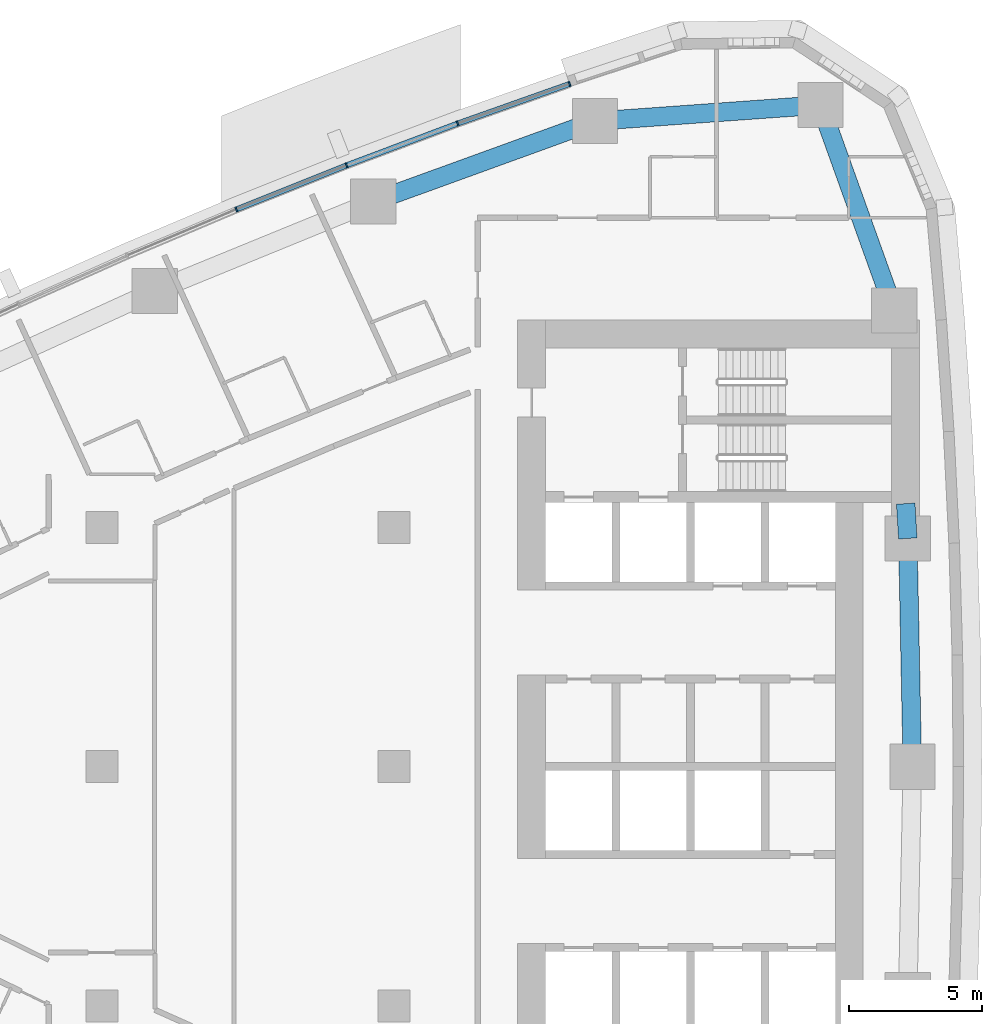
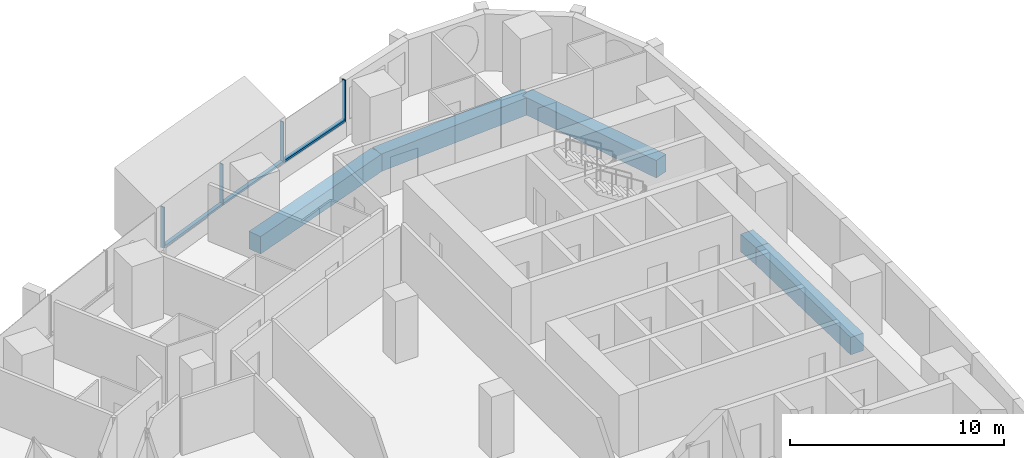
# One storey, part 6 of 17: 7 members, 5 beams, 2 elements without a shape of their own.
"""IFC4 building model written with IfcOpenShell, lengths in metres."""

from ifc_helpers import new_model, si_unit, direction, frame, origin, origin_2d, place, context, subcontext, project, spatial, rectangle, extrude, material, layer, layer_set, material_profile, profile_set, type_object, element, aggregate, save


model = new_model("IFC4")

# Units and contexts
model_context = context("Model", 3, precision=1e-05, world=origin(), true_north=direction((0.0, 1.0)))
body_context = subcontext(model_context, "Body", "Model", "MODEL_VIEW")
ifc_project = project(units=[si_unit("LENGTHUNIT", "METRE"), si_unit("AREAUNIT", "SQUARE_METRE"), si_unit("VOLUMEUNIT", "CUBIC_METRE"), si_unit("PLANEANGLEUNIT", "RADIAN"), si_unit("MASSUNIT", "GRAM", prefix="KILO")], contexts=[model_context])

# Site, building, storey
site_placement = place(None, origin())
site = spatial("IfcSite", under=ifc_project, at=site_placement, CompositionType="ELEMENT")
building_placement = place(site_placement, origin())
building = spatial("IfcBuilding", under=site, at=building_placement, Name="Ostrand Prow Hotel Tower", CompositionType="ELEMENT")
storey_placement = place(building_placement, frame((0.0, 0.0, 102.64990234375)))
storey = spatial("IfcBuildingStorey", under=building, at=storey_placement, Name="L24", CompositionType="ELEMENT", Elevation=102.64990234375)

# Beams
ifc_material_1 = material(Name="Concrete C80/95", Category="concrete")
ifc_material_profile_1 = material_profile(ifc_material_1, rectangle(XDim=0.699951171875, YDim=1.0, at=origin_2d()), Name="RC 700x1000")
ifc_profile_set_1 = profile_set([ifc_material_profile_1], Name="Concrete C80/95")
beam_type = type_object("IfcBeamType", Name="Edge beam 700x1000 C80/95", PredefinedType="SPANDREL", material=ifc_profile_set_1)
beam_1_placement = place(storey_placement, frame((64.5, 0.0, -0.7998046875), z_axis=(-0.019922705812, 0.9998015232, 0.0), x_axis=(-0.9998015232, -0.019922705812, 0.0)))
element("IfcBeam", 1, at=beam_1_placement, inside=storey, type_object=beam_type, Name="Edge beam B3-B4", PredefinedType="SPANDREL", context=body_context, shape_type="SweptSolid", body=[
    extrude(rectangle(XDim=0.699951171875, YDim=1.0, at=origin_2d()), origin(), (0.0, 0.0, 1.0), 8.59033203125),
])
beam_2_placement = place(storey_placement, frame((64.328857421875, 8.588623046875, -0.7998046875), z_axis=(-0.059658953766, 0.998218818314, 0.0), x_axis=(-0.998218818314, -0.059658953766, 0.0)))
element("IfcBeam", 2, at=beam_2_placement, inside=storey, type_object=beam_type, Name="Edge beam B4-B5", PredefinedType="SPANDREL", context=body_context, shape_type="SweptSolid", body=[
    extrude(rectangle(XDim=0.699951171875, YDim=1.0, at=origin_2d()), origin(), (0.0, 0.0, 1.0), 1.313720703125),
])
beam_3_placement = place(storey_placement, frame((63.815673828125, 17.16357421875, -0.7998046875), z_axis=(-0.337815484063, 0.941212355809, 0.0), x_axis=(-0.941212355809, -0.337815484063, 0.0)))
element("IfcBeam", 3, at=beam_3_placement, inside=storey, type_object=beam_type, Name="Edge beam B5-NE", PredefinedType="SPANDREL", context=body_context, shape_type="SweptSolid", body=[
    extrude(rectangle(XDim=0.699951171875, YDim=1.0, at=origin_2d()), origin(), (0.0, 0.0, 1.0), 8.21630859375),
])
beam_4_placement = place(storey_placement, frame((61.0400390625, 24.89697265625, -0.7998046875), z_axis=(-0.99747195063, -0.071061295414, 0.0), x_axis=(0.071061295414, -0.99747195063, 0.0)))
element("IfcBeam", 4, at=beam_4_placement, inside=storey, type_object=beam_type, Name="Edge beam NE-N1", PredefinedType="SPANDREL", context=body_context, shape_type="SweptSolid", body=[
    extrude(rectangle(XDim=0.699951171875, YDim=1.0, at=origin_2d()), origin(), (0.0, 0.0, 1.0), 8.499755859375),
])
beam_5_placement = place(storey_placement, frame((52.561767578125, 24.29296875, -0.7998046875), z_axis=(-0.940062739321, -0.341001533927, 0.0), x_axis=(0.341001533927, -0.940062739321, 0.0)))
element("IfcBeam", 5, at=beam_5_placement, inside=storey, type_object=beam_type, Name="Edge beam N1-N2", PredefinedType="SPANDREL", context=body_context, shape_type="SweptSolid", body=[
    extrude(rectangle(XDim=0.699951171875, YDim=1.0, at=origin_2d()), origin(), (0.0, 0.0, 1.0), 8.883544921875),
])

# Curtain wall, members
ifc_material_2 = material(Name="Insulated glass in bronze anodised frame", Category="glass")
ifc_layer = layer(ifc_material_2, 0.199951171875)
ifc_layer_set = layer_set([ifc_layer], Name="Insulated glass in bronze anodised frame")
curtain_wall_type = type_object("IfcCurtainWallType", Name="Strip curtain wall, fritted glass over bronze spandrel", PredefinedType="NOTDEFINED", material=ifc_layer_set)
curtain_wall_1_placement = place(storey_placement, origin())
curtain_wall_1 = element("IfcCurtainWall", 6, at=curtain_wall_1_placement, inside=storey, type_object=curtain_wall_type, Name="CW1 run CWN1", PredefinedType="NOTDEFINED")
ifc_material_3 = material(Name="Bronze anodised aluminium", Category="aluminium")
ifc_material_profile_2 = material_profile(ifc_material_3, rectangle(XDim=0.199951171875, YDim=0.06005859375, at=origin_2d()), Name="Mullion 60x200 bronze anodised aluminium")
ifc_profile_set_2 = profile_set([ifc_material_profile_2], Name="Bronze anodised aluminium")
member_type_1 = type_object("IfcMemberType", Name="Mullion 60x200 bronze anodised aluminium", PredefinedType="MULLION", material=ifc_profile_set_2)
member_1_placement = place(storey_placement, frame((51.601318359375, 25.692138671875, 0.900146484375), z_axis=(0.0, 0.0, 1.0), x_axis=(0.333495894542, -0.942751551748, 0.0)))
member_1 = element("IfcMember", 7, at=member_1_placement, type_object=member_type_1, Name="CW1 mullion 1", PredefinedType="MULLION", context=body_context, shape_type="SweptSolid", body=[
    extrude(rectangle(XDim=0.199951171875, YDim=0.06005859375, at=origin_2d()), origin(), (0.0, 0.0, 1.0), 2.349853515625),
])
member_2_placement = place(storey_placement, frame((47.390869140625, 24.202880859375, 0.900146484375), z_axis=(0.0, 0.0, 1.0), x_axis=(0.35230885193, -0.935883792387, 0.0)))
member_2 = element("IfcMember", 8, at=member_2_placement, type_object=member_type_1, Name="CW1 mullion 2", PredefinedType="MULLION", context=body_context, shape_type="SweptSolid", body=[
    extrude(rectangle(XDim=0.199951171875, YDim=0.06005859375, at=origin_2d()), origin(), (0.0, 0.0, 1.0), 2.349853515625),
])
member_3_placement = place(storey_placement, frame((43.211181640625, 22.62939453125, 0.900146484375), z_axis=(0.0, 0.0, 1.0), x_axis=(0.35230885193, -0.935883792387, 0.0)))
member_3 = element("IfcMember", 9, at=member_3_placement, type_object=member_type_1, Name="CW1 mullion 3", PredefinedType="MULLION", context=body_context, shape_type="SweptSolid", body=[
    extrude(rectangle(XDim=0.199951171875, YDim=0.06005859375, at=origin_2d()), origin(), (0.0, 0.0, 1.0), 2.349853515625),
])

# Curtain wall, member
curtain_wall_2_placement = place(storey_placement, origin())
curtain_wall_2 = element("IfcCurtainWall", 10, at=curtain_wall_2_placement, inside=storey, type_object=curtain_wall_type, Name="CW1 run CWN2", PredefinedType="NOTDEFINED")
member_4_placement = place(storey_placement, frame((39.06396484375, 20.97265625, 0.900146484375), z_axis=(0.0, 0.0, 1.0), x_axis=(0.389506566255, -0.921023688536, 0.0)))
member_4 = element("IfcMember", 11, at=member_4_placement, type_object=member_type_1, Name="CW1 mullion 2", PredefinedType="MULLION", context=body_context, shape_type="SweptSolid", body=[
    extrude(rectangle(XDim=0.199951171875, YDim=0.06005859375, at=origin_2d()), origin(), (0.0, 0.0, 1.0), 2.349853515625),
])

# Member
ifc_material_4 = material(Name="Bronze anodised aluminium", Category="aluminium")
ifc_material_profile_3 = material_profile(ifc_material_4, rectangle(XDim=0.199951171875, YDim=0.1201171875, at=origin_2d()), Name="Transom 120x200 bronze anodised aluminium")
ifc_profile_set_3 = profile_set([ifc_material_profile_3], Name="Bronze anodised aluminium")
member_type_2 = type_object("IfcMemberType", Name="Transom 120x200 bronze anodised aluminium", PredefinedType="USERDEFINED", material=ifc_profile_set_3)
member_5_placement = place(storey_placement, frame((51.572998046875, 25.68212890625, 0.960205078125), z_axis=(-0.942763014139, -0.333463490013, 0.0), x_axis=(0.333463490013, -0.942763014139, 0.0)))
member_5 = element("IfcMember", 12, at=member_5_placement, type_object=member_type_2, Name="CW1 transom 1.1", ObjectType="TRANSOM", PredefinedType="USERDEFINED", context=body_context, shape_type="SweptSolid", body=[
    extrude(rectangle(XDim=0.199951171875, YDim=0.1201171875, at=origin_2d()), origin(), (0.0, 0.0, 1.0), 4.406005859375),
])

member_6_placement = place(storey_placement, frame((47.36279296875, 24.1923828125, 0.960205078125), z_axis=(-0.935868398429, -0.352349742191, 0.0), x_axis=(0.352349742191, -0.935868398429, 0.0)))
member_6 = element("IfcMember", 13, at=member_6_placement, type_object=member_type_2, Name="CW1 transom 2.1", ObjectType="TRANSOM", PredefinedType="USERDEFINED", context=body_context, shape_type="SweptSolid", body=[
    extrude(rectangle(XDim=0.199951171875, YDim=0.1201171875, at=origin_2d()), origin(), (0.0, 0.0, 1.0), 4.406005859375),
])

aggregate(curtain_wall_1, [member_1, member_2, member_3, member_5, member_6])

member_7_placement = place(storey_placement, frame((43.183349609375, 22.618408203125, 0.960205078125), z_axis=(-0.928621833209, -0.371027614724, 0.0), x_axis=(0.371027614724, -0.928621833209, 0.0)))
member_7 = element("IfcMember", 14, at=member_7_placement, type_object=member_type_2, Name="CW1 transom 1.1", ObjectType="TRANSOM", PredefinedType="USERDEFINED", context=body_context, shape_type="SweptSolid", body=[
    extrude(rectangle(XDim=0.199951171875, YDim=0.1201171875, at=origin_2d()), origin(), (0.0, 0.0, 1.0), 4.406005859375),
])

aggregate(curtain_wall_2, [member_4, member_7])

save(model, "model.ifc")
